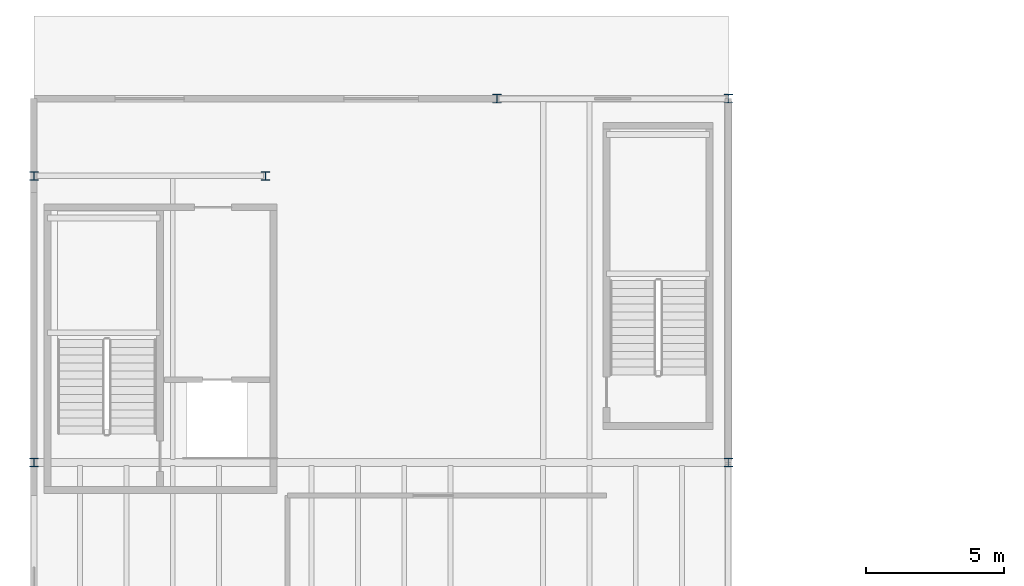
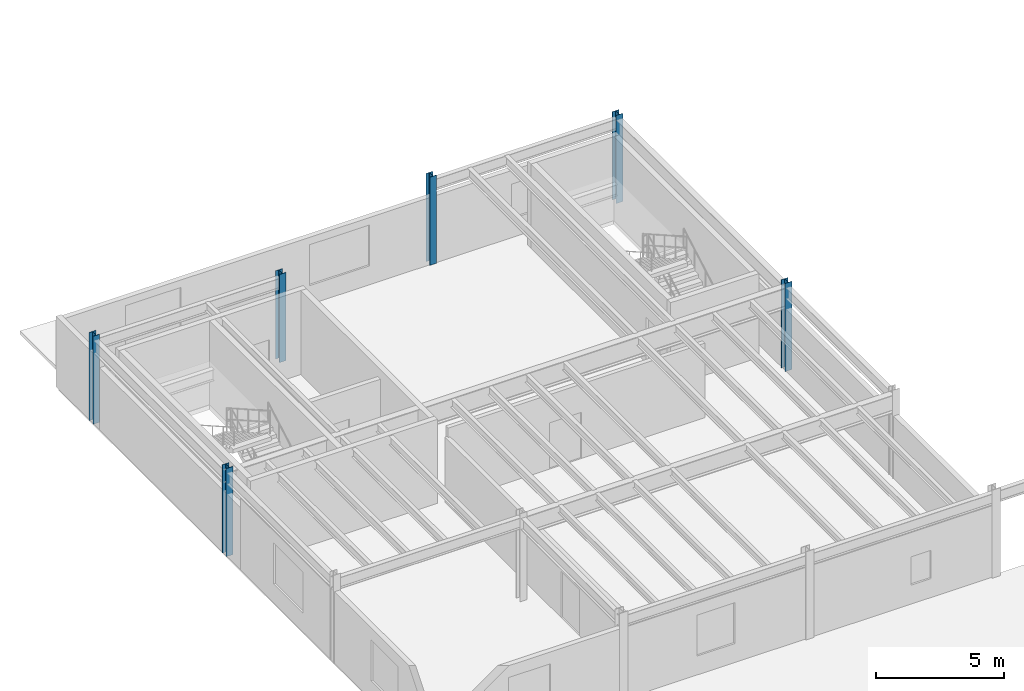
# One storey, part 5 of 54: 6 columns.
"""IFC4 building model written with IfcOpenShell, lengths in metres."""

from ifc_helpers import new_model, si_unit, direction, frame, origin, origin_2d, place, context, subcontext, project, spatial, i_section, extrude, material, material_profile, profile_set, type_object, element, save


model = new_model("IFC4")

# Units and contexts
model_context = context("Model", 3, precision=1e-05, world=origin(), true_north=direction((0.0, 1.0)))
body_context = subcontext(model_context, "Body", "Model", "MODEL_VIEW")
ifc_project = project(units=[si_unit("LENGTHUNIT", "METRE"), si_unit("AREAUNIT", "SQUARE_METRE"), si_unit("VOLUMEUNIT", "CUBIC_METRE"), si_unit("PLANEANGLEUNIT", "RADIAN"), si_unit("MASSUNIT", "GRAM", prefix="KILO")], contexts=[model_context])

# Site, building, storey
site_placement = place(None, origin())
site = spatial("IfcSite", under=ifc_project, at=site_placement, CompositionType="ELEMENT")
building_placement = place(site_placement, origin())
building = spatial("IfcBuilding", under=site, at=building_placement, Name="Selat Folded Stagehouse", CompositionType="ELEMENT")
storey_placement = place(building_placement, frame((0.0, 0.0, 15.0)))
storey = spatial("IfcBuildingStorey", under=building, at=storey_placement, Name="L03", CompositionType="ELEMENT", Elevation=15.0)

# Columns
ifc_material = material(Name="Steel S355", Category="steel")
ifc_material_profile = material_profile(ifc_material, i_section(OverallWidth=0.305419921875, OverallDepth=0.307861328125, WebThickness=0.010009765625, FlangeThickness=0.015380859375, FilletRadius=0.01513671875, at=origin_2d()), Name="UKC 305x305x97")
ifc_profile_set = profile_set([ifc_material_profile], Name="Steel S355")
column_type = type_object("IfcColumnType", Name="COL-UKC-305x305x97", PredefinedType="COLUMN", material=ifc_profile_set)
for number, where, z_axis, x_axis, name in (
    (1, (0.0, 70.800048828125, 0.0), (0.0, 0.0, 1.0), (1.0, 0.0, 0.0), "L03 column STK-V4-02"),
    (2, (0.0, 81.199951171875, 0.0), (0.0, 0.0, 1.0), (1.0, 0.0, 0.0), "L03 column STK-V4-03"),
    (3, (8.39990234375, 81.199951171875, 0.0), (0.0, 0.0, 1.0), (1.0, 0.0, 0.0), "L03 column STK-V4-06"),
    (4, (16.800048828125, 84.0, 0.0), (0.0, 0.0, 1.0), (1.0, 0.0, 0.0), "L03 column STK-V4-08"),
    (5, (25.199951171875, 70.800048828125, 0.0), (0.0, 0.0, 1.0), (1.0, 0.0, 0.0), "L03 column STK-V4-11"),
    (6, (25.199951171875, 84.0, 0.0), (0.0, 0.0, 1.0), (1.0, 0.0, 0.0), "L03 column STK-V4-12"),
):
    element("IfcColumn", number, at=place(storey_placement, frame(where, z_axis=z_axis, x_axis=x_axis)), inside=storey, type_object=column_type, Name=name, PredefinedType="COLUMN", context=body_context, shape_type="SweptSolid", body=[
        extrude(i_section(OverallWidth=0.305419921875, OverallDepth=0.307861328125, WebThickness=0.010009765625, FlangeThickness=0.015380859375, FilletRadius=0.01513671875, at=origin_2d()), origin(), (0.0, 0.0, 1.0), 4.199951171875),
    ])

save(model, "model.ifc")
